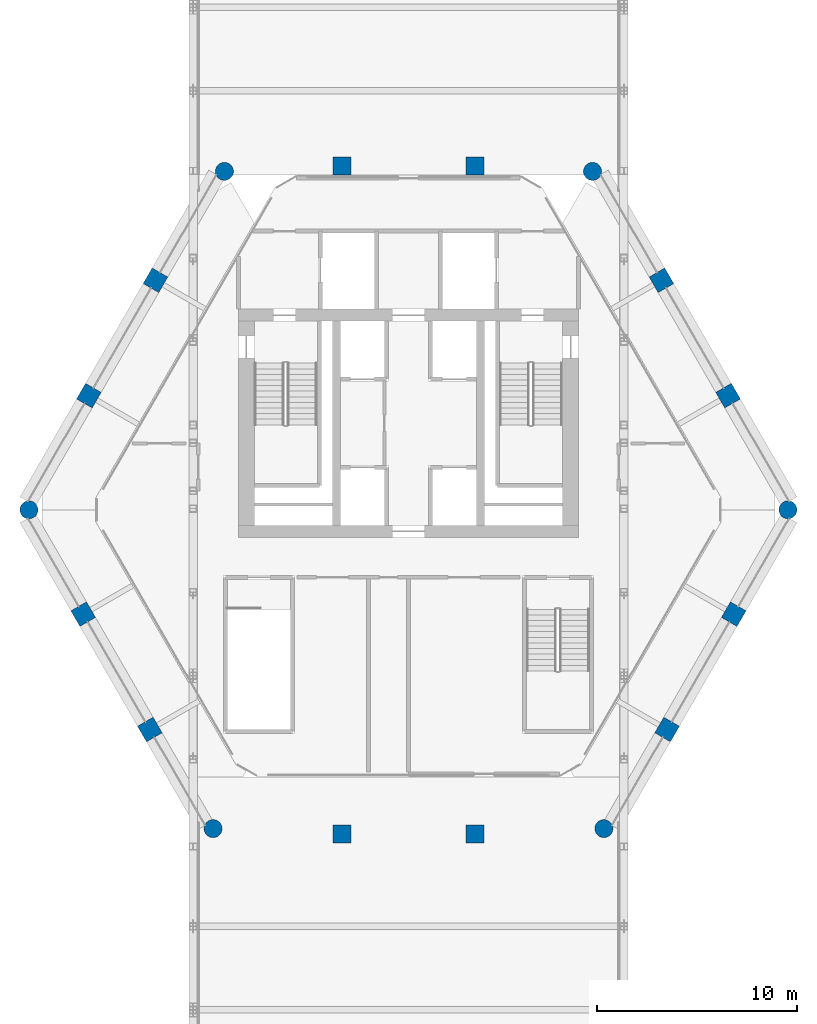
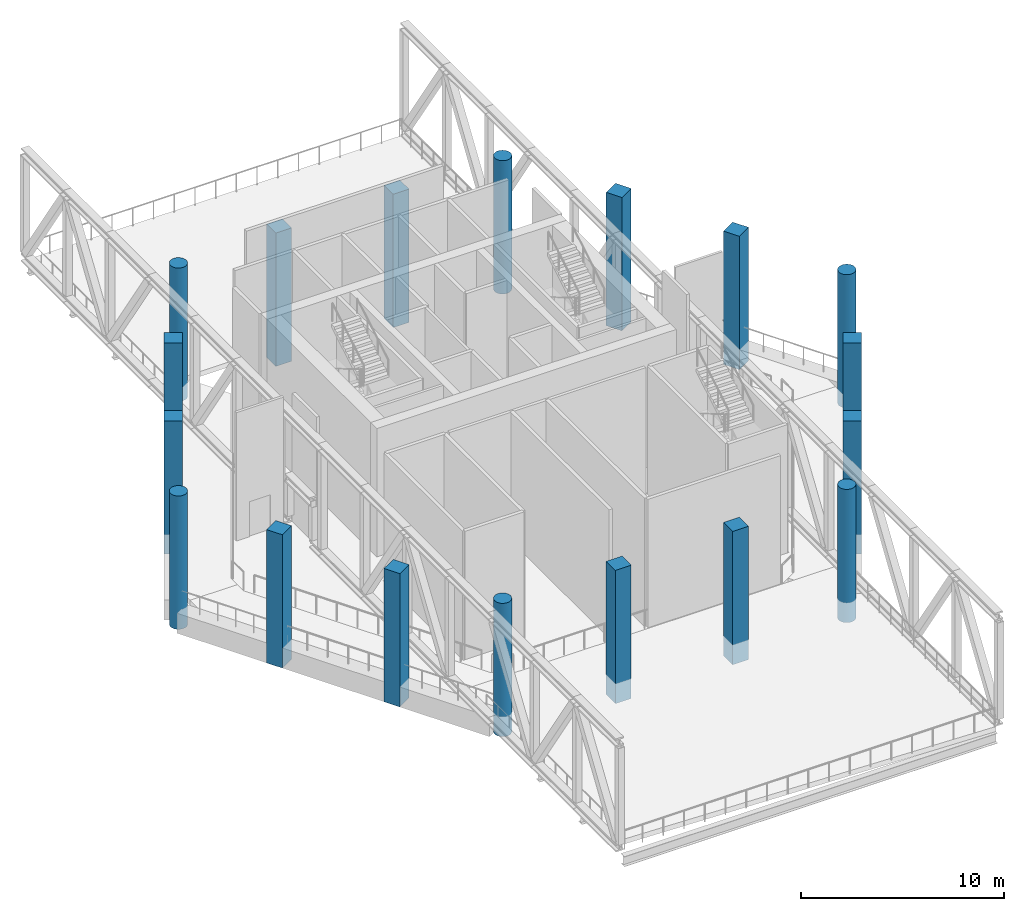
# One storey, part 1 of 14: 18 columns.
"""IFC4 building model written with IfcOpenShell, lengths in metres."""

from ifc_helpers import new_model, si_unit, direction, frame, origin, origin_2d, place, context, subcontext, project, spatial, rectangle, circle, extrude, material, material_profile, profile_set, type_object, element, save


model = new_model("IFC4")

# Units and contexts
model_context = context("Model", 3, precision=1e-05, world=origin(), true_north=direction((0.0, 1.0)))
body_context = subcontext(model_context, "Body", "Model", "MODEL_VIEW")
ifc_project = project(units=[si_unit("LENGTHUNIT", "METRE"), si_unit("AREAUNIT", "SQUARE_METRE"), si_unit("VOLUMEUNIT", "CUBIC_METRE"), si_unit("PLANEANGLEUNIT", "RADIAN"), si_unit("MASSUNIT", "GRAM", prefix="KILO")], contexts=[model_context])

# Site, building, storey
site_placement = place(None, origin())
site = spatial("IfcSite", under=ifc_project, at=site_placement, CompositionType="ELEMENT")
building_placement = place(site_placement, origin())
building = spatial("IfcBuilding", under=site, at=building_placement, Name="Ostrander Bayou Hotel Tower", CompositionType="ELEMENT")
storey_placement = place(building_placement, frame((0.0, 0.0, 237.0)))
storey = spatial("IfcBuildingStorey", under=building, at=storey_placement, Name="L59", CompositionType="ELEMENT", Elevation=237.0)

# Columns
ifc_material_1 = material(Name="Concrete f'c 60 MPa", Category="concrete")
ifc_material_profile_1 = material_profile(ifc_material_1, circle(Radius=0.449951171875, at=origin_2d()))
ifc_profile_set_1 = profile_set([ifc_material_profile_1], Name="Concrete f'c 60 MPa")
column_type_1 = type_object("IfcColumnType", Name="C7 round column 900 mm f'c 60 MPa", PredefinedType="COLUMN", material=ifc_profile_set_1)
for number, where, z_axis, x_axis, name in (
    (1, (-9.19970703125, 16.588623046875, -1.199951171875), (0.0, 0.0, 1.0), (1.0, 0.0, 0.0), "C7 L59 K0"),
    (2, (-18.966064453125, -0.327392578125, -1.199951171875), (0.0, 0.0, 1.0), (1.0, 0.0, 0.0), "C7 L59 K1"),
    (3, (-9.7666015625, -16.261474609375, -1.199951171875), (0.0, 0.0, 1.0), (1.0, 0.0, 0.0), "C7 L59 K2"),
    (4, (9.7666015625, -16.261474609375, -1.199951171875), (0.0, 0.0, 1.0), (1.0, 0.0, 0.0), "C7 L59 K3"),
    (5, (18.966064453125, -0.327392578125, -1.199951171875), (0.0, 0.0, 1.0), (1.0, 0.0, 0.0), "C7 L59 K4"),
    (6, (9.19970703125, 16.588623046875, -1.199951171875), (0.0, 0.0, 1.0), (1.0, 0.0, 0.0), "C7 L59 K5"),
):
    element("IfcColumn", number, at=place(storey_placement, frame(where, z_axis=z_axis, x_axis=x_axis)), inside=storey, type_object=column_type_1, Name=name, PredefinedType="COLUMN", context=body_context, shape_type="SweptSolid", body=[
        extrude(circle(Radius=0.449951171875, at=origin_2d()), origin(), (0.0, 0.0, 1.0), 8.0),
    ])
ifc_material_2 = material(Name="Concrete f'c 60 MPa", Category="concrete")
ifc_material_profile_2 = material_profile(ifc_material_2, rectangle(XDim=0.89990234375, YDim=0.89990234375, at=origin_2d()))
ifc_profile_set_2 = profile_set([ifc_material_profile_2], Name="Concrete f'c 60 MPa")
column_type_2 = type_object("IfcColumnType", Name="C8 square column 900 x 900 mm f'c 60 MPa", PredefinedType="COLUMN", material=ifc_profile_set_2)
for number, where, z_axis, x_axis, name in (
    (7, (3.329345703125, 16.85009765625, -1.199951171875), (0.0, 0.0, 1.0), (1.0, 0.0, 0.0), "C8 L59 N1"),
    (8, (-3.329345703125, 16.85009765625, -1.199951171875), (0.0, 0.0, 1.0), (1.0, 0.0, 0.0), "C8 L59 N2"),
    (9, (-12.644287109375, 11.144775390625, -1.199951171875), (0.0, 0.0, 1.0), (0.5, 0.866025403784, 0.0), "C8 L59 NW1"),
    (10, (-15.973876953125, 5.3779296875, -1.199951171875), (0.0, 0.0, 1.0), (0.5, 0.866025403784, 0.0), "C8 L59 NW2"),
    (11, (-16.257080078125, -5.541748046875, -1.199951171875), (0.0, 0.0, 1.0), (-0.5, 0.866025403784, 0.0), "C8 L59 SW1"),
    (12, (-12.927734375, -11.308349609375, -1.199951171875), (0.0, 0.0, 1.0), (-0.5, 0.866025403784, 0.0), "C8 L59 SW2"),
    (13, (-3.329345703125, -16.522705078125, -1.199951171875), (0.0, 0.0, 1.0), (-1.0, 0.0, 0.0), "C8 L59 S1"),
    (14, (3.329345703125, -16.522705078125, -1.199951171875), (0.0, 0.0, 1.0), (-1.0, 0.0, 0.0), "C8 L59 S2"),
    (15, (12.927734375, -11.308349609375, -1.199951171875), (0.0, 0.0, 1.0), (-0.5, -0.866025403784, 0.0), "C8 L59 SE1"),
    (16, (16.257080078125, -5.541748046875, -1.199951171875), (0.0, 0.0, 1.0), (-0.5, -0.866025403784, 0.0), "C8 L59 SE2"),
    (17, (15.973876953125, 5.3779296875, -1.199951171875), (0.0, 0.0, 1.0), (0.5, -0.866025403784, 0.0), "C8 L59 NE1"),
    (18, (12.644287109375, 11.144775390625, -1.199951171875), (0.0, 0.0, 1.0), (0.5, -0.866025403784, 0.0), "C8 L59 NE2"),
):
    element("IfcColumn", number, at=place(storey_placement, frame(where, z_axis=z_axis, x_axis=x_axis)), inside=storey, type_object=column_type_2, Name=name, PredefinedType="COLUMN", context=body_context, shape_type="SweptSolid", body=[
        extrude(rectangle(XDim=0.89990234375, YDim=0.89990234375, at=origin_2d()), origin(), (0.0, 0.0, 1.0), 8.0),
    ])

save(model, "model.ifc")
